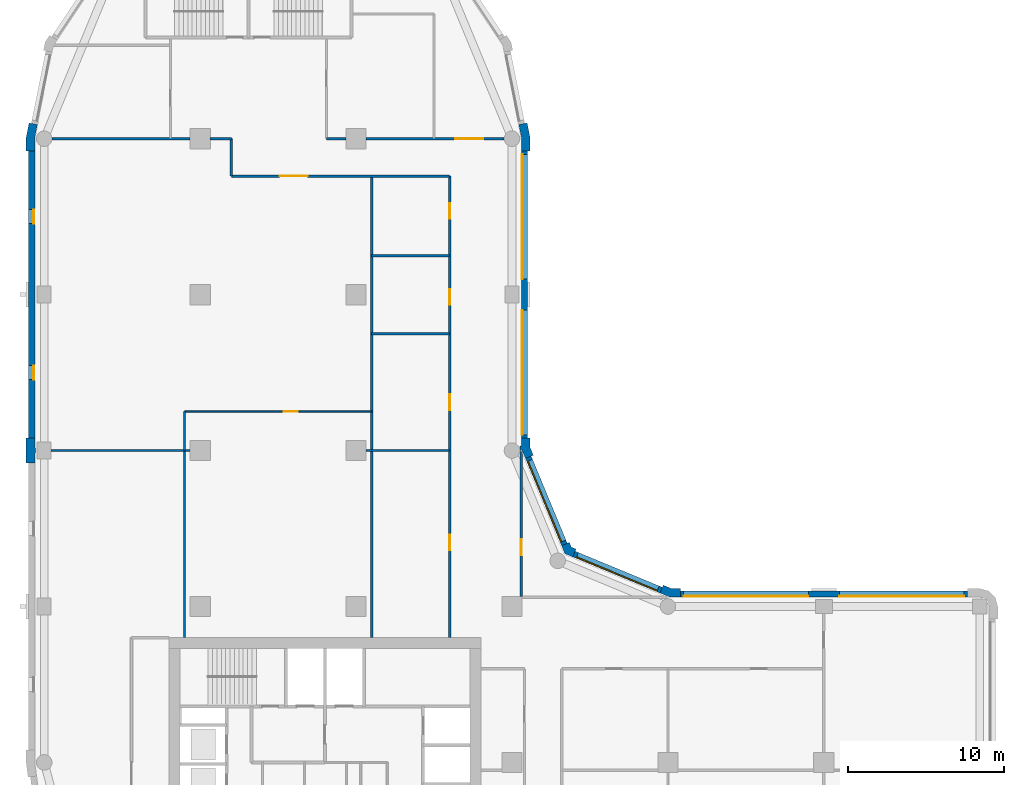
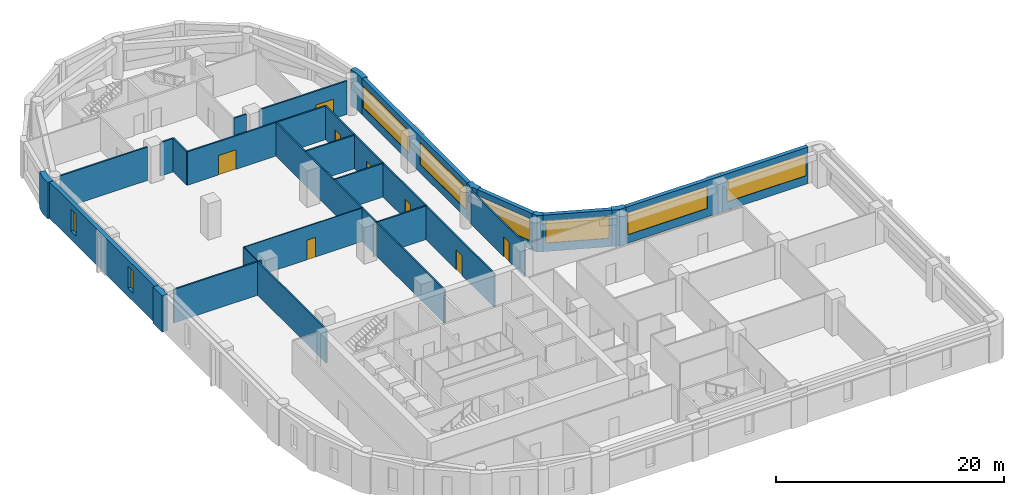
# One storey, part 5 of 9: 27 walls, 8 doors, 8 windows, 16 openings.
"""IFC4 building model written with IfcOpenShell, lengths in metres."""

from ifc_helpers import new_model, si_unit, direction, frame, frame_2d, origin, place, context, subcontext, project, spatial, polyline, rectangle, outline, extrude, material, layer, layer_set, type_object, element, fill, save


model = new_model("IFC4")

# Units and contexts
model_context = context("Model", 3, precision=1e-05, world=origin(), true_north=direction((0.0, 1.0)))
body_context = subcontext(model_context, "Body", "Model", "MODEL_VIEW")
ifc_project = project(units=[si_unit("LENGTHUNIT", "METRE"), si_unit("AREAUNIT", "SQUARE_METRE"), si_unit("VOLUMEUNIT", "CUBIC_METRE"), si_unit("PLANEANGLEUNIT", "RADIAN"), si_unit("MASSUNIT", "GRAM", prefix="KILO")], contexts=[model_context])

# Site, building, storey
site_placement = place(None, origin())
site = spatial("IfcSite", under=ifc_project, at=site_placement, CompositionType="ELEMENT")
building_placement = place(site_placement, origin())
building = spatial("IfcBuilding", under=site, at=building_placement, Name="Qaws Garden Tower", CompositionType="ELEMENT")
storey_placement = place(building_placement, frame((0.0, 0.0, 162.89990234375)))
storey = spatial("IfcBuildingStorey", under=building, at=storey_placement, Name="L39", CompositionType="ELEMENT", Elevation=162.89990234375)

# Wall, openings, windows
ifc_material_1 = material(Name="Clay facing brick masonry", Category="masonry")
ifc_layer_1 = layer(ifc_material_1, 0.39990234375)
ifc_layer_set_1 = layer_set([ifc_layer_1], Name="Clay facing brick masonry")
wall_type_1 = type_object("IfcWallType", Name="Brick infill wall 400", PredefinedType="SOLIDWALL", material=ifc_layer_set_1)
wall_1_placement = place(storey_placement, frame((59.199951171875, 30.800048828125, 0.0), z_axis=(0.0, 0.0, 1.0), x_axis=(-1.0, 0.0, 0.0)))
wall_1 = element("IfcWall", 1, at=wall_1_placement, inside=storey, type_object=wall_type_1, Name="E-L39-infill-07", PredefinedType="SOLIDWALL", context=body_context, shape_type="SweptSolid", body=[
    extrude(rectangle(XDim=18.39990234375, YDim=0.39990234375, at=frame_2d((9.199951171875, 0.0))), origin(), (0.0, 0.0, 1.0), 3.900146484375),
])
opening_1_placement = place(wall_1_placement, frame((0.199951171875, 0.0, 0.89990234375)))
opening_1 = element("IfcOpeningElement", 2, at=opening_1_placement, cuts=wall_1, Name="Opening W01", PredefinedType="OPENING", context=body_context, shape_type="SweptSolid", body=[
    extrude(rectangle(XDim=8.0, YDim=2.35009765625, at=frame_2d((4.0, 1.175048828125))), frame((0.0, 0.2099609375, 0.0), z_axis=(0.0, -1.0, 0.0), x_axis=(1.0, 0.0, 0.0)), (0.0, 0.0, 1.0), 0.419921875),
])
opening_2_placement = place(wall_1_placement, frame((10.199951171875, 0.0, 0.89990234375)))
opening_2 = element("IfcOpeningElement", 3, at=opening_2_placement, cuts=wall_1, Name="Opening W01", PredefinedType="OPENING", context=body_context, shape_type="SweptSolid", body=[
    extrude(rectangle(XDim=8.0, YDim=2.35009765625, at=frame_2d((4.0, 1.175048828125))), frame((0.0, 0.2099609375, 0.0), z_axis=(0.0, -1.0, 0.0), x_axis=(1.0, 0.0, 0.0)), (0.0, 0.0, 1.0), 0.419921875),
])
ifc_material_2 = material(Name="Aluminium framed window, clear glazing", Category="aluminium")
window_type_1 = type_object("IfcWindowType", Name="Ribbon window 8000 x 2350", PartitioningType="DOUBLE_PANEL_VERTICAL", PredefinedType="WINDOW", material=ifc_material_2)
window_1_placement = place(opening_1_placement, origin())
window_1 = element("IfcWindow", 4, at=window_1_placement, inside=storey, type_object=window_type_1, Name="E-L39-window-07-0", OverallHeight=2.35009765625, OverallWidth=8.0, PartitioningType="SINGLE_PANEL", PredefinedType="WINDOW", context=body_context, shape_type="SweptSolid", body=[
    extrude(rectangle(XDim=8.0, YDim=2.35009765625, at=frame_2d((4.0, 1.175048828125))), frame((0.0, 0.159912109375, 0.0), z_axis=(0.0, -1.0, 0.0), x_axis=(1.0, 0.0, 0.0)), (0.0, 0.0, 1.0), 0.06005859375),
])
fill(opening_1, window_1)
window_2_placement = place(opening_2_placement, origin())
window_2 = element("IfcWindow", 5, at=window_2_placement, inside=storey, type_object=window_type_1, Name="E-L39-window-08-0", OverallHeight=2.35009765625, OverallWidth=8.0, PartitioningType="SINGLE_PANEL", PredefinedType="WINDOW", context=body_context, shape_type="SweptSolid", body=[
    extrude(rectangle(XDim=8.0, YDim=2.35009765625, at=frame_2d((4.0, 1.175048828125))), frame((0.0, 0.159912109375, 0.0), z_axis=(0.0, -1.0, 0.0), x_axis=(1.0, 0.0, 0.0)), (0.0, 0.0, 1.0), 0.06005859375),
])
fill(opening_2, window_2)

# Wall, opening, window
wall_2_placement = place(storey_placement, frame((39.56689453125, 31.04541015625, 0.0), z_axis=(0.0, 0.0, 1.0), x_axis=(-0.923891000409, 0.382655745237, 0.0)))
wall_2 = element("IfcWall", 6, at=wall_2_placement, inside=storey, type_object=wall_type_1, Name="E-L39-infill-09", PredefinedType="SOLIDWALL", context=body_context, shape_type="SweptSolid", body=[
    extrude(rectangle(XDim=6.053466796875, YDim=0.39990234375, at=frame_2d((3.02685546875, 0.0))), origin(), (0.0, 0.0, 1.0), 3.900146484375),
])
opening_3_placement = place(wall_2_placement, frame((0.226806640625, 0.0, 0.89990234375)))
opening_3 = element("IfcOpeningElement", 7, at=opening_3_placement, cuts=wall_2, Name="Opening W04", PredefinedType="OPENING", context=body_context, shape_type="SweptSolid", body=[
    extrude(rectangle(XDim=5.60009765625, YDim=2.35009765625, at=frame_2d((2.800048828125, 1.175048828125))), frame((0.0, 0.2099609375, 0.0), z_axis=(0.0, -1.0, 0.0), x_axis=(1.0, 0.0, 0.0)), (0.0, 0.0, 1.0), 0.419921875),
])
ifc_material_3 = material(Name="Aluminium framed window, clear glazing", Category="aluminium")
window_type_2 = type_object("IfcWindowType", Name="Ribbon window 5600 x 2350", PartitioningType="DOUBLE_PANEL_VERTICAL", PredefinedType="WINDOW", material=ifc_material_3)
window_3_placement = place(opening_3_placement, origin())
window_3 = element("IfcWindow", 8, at=window_3_placement, inside=storey, type_object=window_type_2, Name="E-L39-window-09-0", OverallHeight=2.35009765625, OverallWidth=5.60009765625, PartitioningType="SINGLE_PANEL", PredefinedType="WINDOW", context=body_context, shape_type="SweptSolid", body=[
    extrude(rectangle(XDim=5.60009765625, YDim=2.35009765625, at=frame_2d((2.800048828125, 1.175048828125))), frame((0.0, 0.159912109375, 0.0), z_axis=(0.0, -1.0, 0.0), x_axis=(1.0, 0.0, 0.0)), (0.0, 0.0, 1.0), 0.06005859375),
])
fill(opening_3, window_3)

wall_3_placement = place(storey_placement, frame((33.36181640625, 33.97412109375, 0.0), z_axis=(0.0, 0.0, 1.0), x_axis=(-0.382655745237, 0.923891000409, 0.0)))
wall_3 = element("IfcWall", 9, at=wall_3_placement, inside=storey, type_object=wall_type_1, Name="E-L39-infill-10", PredefinedType="SOLIDWALL", context=body_context, shape_type="SweptSolid", body=[
    extrude(rectangle(XDim=6.053466796875, YDim=0.39990234375, at=frame_2d((3.02685546875, 0.0))), origin(), (0.0, 0.0, 1.0), 3.900146484375),
])
opening_4_placement = place(wall_3_placement, frame((0.226806640625, 0.0, 0.89990234375)))
opening_4 = element("IfcOpeningElement", 10, at=opening_4_placement, cuts=wall_3, Name="Opening W04", PredefinedType="OPENING", context=body_context, shape_type="SweptSolid", body=[
    extrude(rectangle(XDim=5.60009765625, YDim=2.35009765625, at=frame_2d((2.800048828125, 1.175048828125))), frame((0.0, 0.2099609375, 0.0), z_axis=(0.0, -1.0, 0.0), x_axis=(1.0, 0.0, 0.0)), (0.0, 0.0, 1.0), 0.419921875),
])
window_4_placement = place(opening_4_placement, origin())
window_4 = element("IfcWindow", 11, at=window_4_placement, inside=storey, type_object=window_type_2, Name="E-L39-window-10-0", OverallHeight=2.35009765625, OverallWidth=5.60009765625, PartitioningType="SINGLE_PANEL", PredefinedType="WINDOW", context=body_context, shape_type="SweptSolid", body=[
    extrude(rectangle(XDim=5.60009765625, YDim=2.35009765625, at=frame_2d((2.800048828125, 1.175048828125))), frame((0.0, 0.159912109375, 0.0), z_axis=(0.0, -1.0, 0.0), x_axis=(1.0, 0.0, 0.0)), (0.0, 0.0, 1.0), 0.06005859375),
])
fill(opening_4, window_4)

# Wall, openings, windows
wall_4_placement = place(storey_placement, frame((30.800048828125, 40.800048828125, 0.0), z_axis=(0.0, 0.0, 1.0), x_axis=(0.0, 1.0, 0.0)))
wall_4 = element("IfcWall", 12, at=wall_4_placement, inside=storey, type_object=wall_type_1, Name="E-L39-infill-11", PredefinedType="SOLIDWALL", context=body_context, shape_type="SweptSolid", body=[
    extrude(rectangle(XDim=18.39990234375, YDim=0.39990234375, at=frame_2d((9.199951171875, 0.0))), origin(), (0.0, 0.0, 1.0), 3.900146484375),
])
opening_5_placement = place(wall_4_placement, frame((0.199951171875, 0.0, 0.89990234375)))
opening_5 = element("IfcOpeningElement", 13, at=opening_5_placement, cuts=wall_4, Name="Opening W01", PredefinedType="OPENING", context=body_context, shape_type="SweptSolid", body=[
    extrude(rectangle(XDim=8.0, YDim=2.35009765625, at=frame_2d((4.0, 1.175048828125))), frame((0.0, 0.2099609375, 0.0), z_axis=(0.0, -1.0, 0.0), x_axis=(1.0, 0.0, 0.0)), (0.0, 0.0, 1.0), 0.419921875),
])
opening_6_placement = place(wall_4_placement, frame((10.199951171875, 0.0, 0.89990234375)))
opening_6 = element("IfcOpeningElement", 14, at=opening_6_placement, cuts=wall_4, Name="Opening W01", PredefinedType="OPENING", context=body_context, shape_type="SweptSolid", body=[
    extrude(rectangle(XDim=8.0, YDim=2.35009765625, at=frame_2d((4.0, 1.175048828125))), frame((0.0, 0.2099609375, 0.0), z_axis=(0.0, -1.0, 0.0), x_axis=(1.0, 0.0, 0.0)), (0.0, 0.0, 1.0), 0.419921875),
])
window_5_placement = place(opening_5_placement, origin())
window_5 = element("IfcWindow", 15, at=window_5_placement, inside=storey, type_object=window_type_1, Name="E-L39-window-11-0", OverallHeight=2.35009765625, OverallWidth=8.0, PartitioningType="SINGLE_PANEL", PredefinedType="WINDOW", context=body_context, shape_type="SweptSolid", body=[
    extrude(rectangle(XDim=8.0, YDim=2.35009765625, at=frame_2d((4.0, 1.175048828125))), frame((0.0, 0.159912109375, 0.0), z_axis=(0.0, -1.0, 0.0), x_axis=(1.0, 0.0, 0.0)), (0.0, 0.0, 1.0), 0.06005859375),
])
fill(opening_5, window_5)
window_6_placement = place(opening_6_placement, origin())
window_6 = element("IfcWindow", 16, at=window_6_placement, inside=storey, type_object=window_type_1, Name="E-L39-window-12-0", OverallHeight=2.35009765625, OverallWidth=8.0, PartitioningType="SINGLE_PANEL", PredefinedType="WINDOW", context=body_context, shape_type="SweptSolid", body=[
    extrude(rectangle(XDim=8.0, YDim=2.35009765625, at=frame_2d((4.0, 1.175048828125))), frame((0.0, 0.159912109375, 0.0), z_axis=(0.0, -1.0, 0.0), x_axis=(1.0, 0.0, 0.0)), (0.0, 0.0, 1.0), 0.06005859375),
])
fill(opening_6, window_6)

wall_5_placement = place(storey_placement, frame((-0.800048828125, 59.199951171875, 0.0), z_axis=(0.0, 0.0, 1.0), x_axis=(0.0, -1.0, 0.0)))
wall_5 = element("IfcWall", 17, at=wall_5_placement, inside=storey, type_object=wall_type_1, Name="E-L39-infill-21", PredefinedType="SOLIDWALL", context=body_context, shape_type="SweptSolid", body=[
    extrude(rectangle(XDim=18.39990234375, YDim=0.39990234375, at=frame_2d((9.199951171875, 0.0))), origin(), (0.0, 0.0, 1.0), 3.900146484375),
])
opening_7_placement = place(wall_5_placement, frame((3.75, 0.0, 0.89990234375)))
opening_7 = element("IfcOpeningElement", 18, at=opening_7_placement, cuts=wall_5, Name="Opening W09", PredefinedType="OPENING", context=body_context, shape_type="SweptSolid", body=[
    extrude(rectangle(XDim=0.89990234375, YDim=2.35009765625, at=frame_2d((0.449951171875, 1.175048828125))), frame((0.0, 0.2099609375, 0.0), z_axis=(0.0, -1.0, 0.0), x_axis=(1.0, 0.0, 0.0)), (0.0, 0.0, 1.0), 0.419921875),
])
opening_8_placement = place(wall_5_placement, frame((13.75, 0.0, 0.89990234375)))
opening_8 = element("IfcOpeningElement", 19, at=opening_8_placement, cuts=wall_5, Name="Opening W09", PredefinedType="OPENING", context=body_context, shape_type="SweptSolid", body=[
    extrude(rectangle(XDim=0.89990234375, YDim=2.35009765625, at=frame_2d((0.449951171875, 1.175048828125))), frame((0.0, 0.2099609375, 0.0), z_axis=(0.0, -1.0, 0.0), x_axis=(1.0, 0.0, 0.0)), (0.0, 0.0, 1.0), 0.419921875),
])
ifc_material_4 = material(Name="Aluminium framed window, clear glazing", Category="aluminium")
window_type_3 = type_object("IfcWindowType", Name="Slit window 900 x 2350", PartitioningType="SINGLE_PANEL", PredefinedType="WINDOW", material=ifc_material_4)
window_7_placement = place(opening_7_placement, origin())
window_7 = element("IfcWindow", 20, at=window_7_placement, inside=storey, type_object=window_type_3, Name="E-L39-window-21-0", OverallHeight=2.35009765625, OverallWidth=0.89990234375, PartitioningType="SINGLE_PANEL", PredefinedType="WINDOW", context=body_context, shape_type="SweptSolid", body=[
    extrude(rectangle(XDim=0.89990234375, YDim=2.35009765625, at=frame_2d((0.449951171875, 1.175048828125))), frame((0.0, 0.159912109375, 0.0), z_axis=(0.0, -1.0, 0.0), x_axis=(1.0, 0.0, 0.0)), (0.0, 0.0, 1.0), 0.06005859375),
])
fill(opening_7, window_7)
window_8_placement = place(opening_8_placement, origin())
window_8 = element("IfcWindow", 21, at=window_8_placement, inside=storey, type_object=window_type_3, Name="E-L39-window-22-0", OverallHeight=2.35009765625, OverallWidth=0.89990234375, PartitioningType="SINGLE_PANEL", PredefinedType="WINDOW", context=body_context, shape_type="SweptSolid", body=[
    extrude(rectangle(XDim=0.89990234375, YDim=2.35009765625, at=frame_2d((0.449951171875, 1.175048828125))), frame((0.0, 0.159912109375, 0.0), z_axis=(0.0, -1.0, 0.0), x_axis=(1.0, 0.0, 0.0)), (0.0, 0.0, 1.0), 0.06005859375),
])
fill(opening_8, window_8)

# Walls
ifc_material_5 = material(Name="Clay facing brick masonry", Category="masonry")
ifc_layer_2 = layer(ifc_material_5, 0.550048828125)
ifc_layer_set_2 = layer_set([ifc_layer_2], Name="Clay facing brick masonry")
wall_type_2 = type_object("IfcWallType", Name="Brick pier 550 x 1600", PredefinedType="SOLIDWALL", material=ifc_layer_set_2)
placement = place(storey_placement, origin())
element("IfcWall", 22, at=placement, inside=storey, type_object=wall_type_2, Name="E-L39-pier-09", PredefinedType="SOLIDWALL", context=body_context, shape_type="SweptSolid", body=[
    extrude(outline(polyline([(40.800048828125, 31.0), (40.800048828125, 31.14990234375), (40.228759765625, 31.14990234375), (39.700927734375, 31.36865234375), (39.6435546875, 31.22998046875), (39.490478515625, 30.860595703125), (40.119384765625, 30.60009765625), (40.800048828125, 30.60009765625), (40.800048828125, 31.0)])), origin(), (0.0, 0.0, 1.0), 3.900146484375),
])
element("IfcWall", 23, at=placement, inside=storey, type_object=wall_type_2, Name="E-L39-pier-10", PredefinedType="SOLIDWALL", context=body_context, shape_type="SweptSolid", body=[
    extrude(outline(polyline([(34.05078125, 33.546630859375), (34.108154296875, 33.685302734375), (33.80908203125, 33.80908203125), (33.685302734375, 34.108154296875), (33.546630859375, 34.05078125), (33.177001953125, 33.897705078125), (33.38818359375, 33.38818359375), (33.897705078125, 33.177001953125), (34.05078125, 33.546630859375)])), origin(), (0.0, 0.0, 1.0), 3.900146484375),
])
element("IfcWall", 24, at=placement, inside=storey, type_object=wall_type_2, Name="E-L39-pier-11", PredefinedType="SOLIDWALL", context=body_context, shape_type="SweptSolid", body=[
    extrude(outline(polyline([(30.6201171875, 39.995361328125), (30.6201171875, 40.071044921875), (30.860595703125, 39.490478515625), (31.22998046875, 39.6435546875), (31.36865234375, 39.700927734375), (31.14990234375, 40.228759765625), (31.14990234375, 40.800048828125), (31.0, 40.800048828125), (30.60009765625, 40.800048828125), (30.60009765625, 40.29541015625), (30.5, 40.29541015625), (30.5, 39.995361328125), (30.6201171875, 39.995361328125)])), origin(), (0.0, 0.0, 1.0), 3.900146484375),
])
element("IfcWall", 25, at=placement, inside=storey, type_object=wall_type_2, Name="E-L39-pier-13", PredefinedType="SOLIDWALL", context=body_context, shape_type="SweptSolid", body=[
    extrude(outline(polyline([(31.0, 59.199951171875), (31.14990234375, 59.199951171875), (31.14990234375, 60.11328125), (30.971923828125, 61.009033203125), (30.82470703125, 60.979736328125), (30.432373046875, 60.901611328125), (30.60009765625, 60.05908203125), (30.60009765625, 59.199951171875), (31.0, 59.199951171875)])), origin(), (0.0, 0.0, 1.0), 3.900146484375),
])
element("IfcWall", 26, at=placement, inside=storey, type_object=wall_type_2, Name="E-L39-pier-21", PredefinedType="SOLIDWALL", context=body_context, shape_type="SweptSolid", body=[
    extrude(outline(polyline([(-0.82470703125, 60.979736328125), (-0.971923828125, 61.009033203125), (-1.14990234375, 60.11328125), (-1.14990234375, 59.199951171875), (-1.0, 59.199951171875), (-0.60009765625, 59.199951171875), (-0.60009765625, 60.05908203125), (-0.432373046875, 60.901611328125), (-0.82470703125, 60.979736328125)])), origin(), (0.0, 0.0, 1.0), 3.900146484375),
])
element("IfcWall", 27, at=placement, inside=storey, type_object=wall_type_2, Name="E-L39-pier-23", PredefinedType="SOLIDWALL", context=body_context, shape_type="SweptSolid", body=[
    extrude(outline(polyline([(-0.60009765625, 39.199951171875), (-0.60009765625, 39.85009765625), (-0.550048828125, 39.85009765625), (-0.550048828125, 40.14990234375), (-0.60009765625, 40.14990234375), (-0.60009765625, 40.800048828125), (-1.0, 40.800048828125), (-1.14990234375, 40.800048828125), (-1.14990234375, 40.0), (-1.14990234375, 39.199951171875), (-1.0, 39.199951171875), (-0.60009765625, 39.199951171875)])), origin(), (0.0, 0.0, 1.0), 3.900146484375),
])
ifc_material_6 = material(Name="Gypsum board partition")
ifc_layer_3 = layer(ifc_material_6, 0.10009765625)
ifc_layer_set_3 = layer_set([ifc_layer_3], Name="Gypsum board partition")
wall_type_3 = type_object("IfcWallType", Name="PARTITION 100", PredefinedType="PARTITIONING", material=ifc_layer_set_3)
wall_12_placement = place(storey_placement, frame((9.0, 40.0, 0.0), z_axis=(0.0, 0.0, 1.0), x_axis=(0.0, 1.0, 0.0)))
element("IfcWall", 28, at=wall_12_placement, inside=storey, type_object=wall_type_3, Name="O-L39-wall-001", PredefinedType="PARTITIONING", context=body_context, shape_type="SweptSolid", body=[
    extrude(rectangle(XDim=2.5, YDim=0.10009765625, at=frame_2d((1.25, 0.0))), origin(), (0.0, 0.0, 1.0), 3.580078125),
])

# Wall, opening, door
wall_13_placement = place(storey_placement, frame((9.0, 42.5, 0.0), z_axis=(0.0, 0.0, 1.0), x_axis=(1.0, 0.0, 0.0)))
wall_13 = element("IfcWall", 29, at=wall_13_placement, inside=storey, type_object=wall_type_3, Name="O-L39-wall-005", PredefinedType="PARTITIONING", context=body_context, shape_type="SweptSolid", body=[
    extrude(rectangle(XDim=12.0, YDim=0.10009765625, at=frame_2d((6.0, 0.0))), origin(), (0.0, 0.0, 1.0), 3.580078125),
])
opening_9_placement = place(wall_13_placement, frame((6.35009765625, 0.0, 0.0)))
opening_9 = element("IfcOpeningElement", 30, at=opening_9_placement, cuts=wall_13, Name="Opening B324", PredefinedType="OPENING", context=body_context, shape_type="SweptSolid", body=[
    extrude(rectangle(XDim=0.89990234375, YDim=2.10009765625, at=frame_2d((0.449951171875, 1.050048828125))), frame((0.0, 0.06005859375, 0.0), z_axis=(0.0, -1.0, 0.0), x_axis=(1.0, 0.0, 0.0)), (0.0, 0.0, 1.0), 0.1201171875),
])
ifc_material_7 = material(Name="Timber door leaf", Category="wood")
door_type_1 = type_object("IfcDoorType", Name="OFFICE DOOR 900 X 2100", OperationType="SINGLE_SWING_LEFT", PredefinedType="DOOR", material=ifc_material_7)
door_1_placement = place(opening_9_placement, frame((0.89990234375, 0.0, 0.0), z_axis=(0.0, 0.0, 1.0), x_axis=(-1.0, 0.0, 0.0)))
door_1 = element("IfcDoor", 31, at=door_1_placement, inside=storey, type_object=door_type_1, Name="O-L39-door-024", OperationType="SINGLE_SWING_LEFT", OverallHeight=2.10009765625, OverallWidth=0.89990234375, PredefinedType="DOOR", context=body_context, shape_type="SweptSolid", body=[
    extrude(rectangle(XDim=0.89990234375, YDim=2.10009765625, at=frame_2d((0.449951171875, 1.050048828125))), frame((0.0, 0.02490234375, 0.0), z_axis=(0.0, -1.0, 0.0), x_axis=(1.0, 0.0, 0.0)), (0.0, 0.0, 1.0), 0.050048828125),
])
fill(opening_9, door_1)

# Walls
ifc_material_8 = material(Name="Gypsum board partition")
ifc_layer_4 = layer(ifc_material_8, 0.14990234375)
ifc_layer_set_4 = layer_set([ifc_layer_4], Name="Gypsum board partition")
wall_type_4 = type_object("IfcWallType", Name="PARTITION 150 EI 60", PredefinedType="PARTITIONING", material=ifc_layer_set_4)
wall_14_placement = place(storey_placement, frame((9.0, 28.0, 0.0), z_axis=(0.0, 0.0, 1.0), x_axis=(0.0, 1.0, 0.0)))
element("IfcWall", 32, at=wall_14_placement, inside=storey, type_object=wall_type_4, Name="O-L39-wall-008", PredefinedType="PARTITIONING", context=body_context, shape_type="SweptSolid", body=[
    extrude(rectangle(XDim=12.0, YDim=0.14990234375, at=frame_2d((6.0, 0.0))), origin(), (0.0, 0.0, 1.0), 3.580078125),
])
wall_15_placement = place(storey_placement, frame((12.0, 57.60009765625, 0.0), z_axis=(0.0, 0.0, 1.0), x_axis=(0.0, 1.0, 0.0)))
element("IfcWall", 33, at=wall_15_placement, inside=storey, type_object=wall_type_4, Name="O-L39-wall-009", PredefinedType="PARTITIONING", context=body_context, shape_type="SweptSolid", body=[
    extrude(rectangle(XDim=2.39990234375, YDim=0.14990234375, at=frame_2d((1.199951171875, 0.0))), origin(), (0.0, 0.0, 1.0), 3.580078125),
])
wall_16_placement = place(storey_placement, frame((21.0, 28.0, 0.0), z_axis=(0.0, 0.0, 1.0), x_axis=(0.0, 1.0, 0.0)))
element("IfcWall", 34, at=wall_16_placement, inside=storey, type_object=wall_type_4, Name="O-L39-wall-013", PredefinedType="PARTITIONING", context=body_context, shape_type="SweptSolid", body=[
    extrude(rectangle(XDim=29.60009765625, YDim=0.14990234375, at=frame_2d((14.800048828125, 0.0))), origin(), (0.0, 0.0, 1.0), 3.580078125),
])

# Wall, openings, doors
wall_17_placement = place(storey_placement, frame((26.0, 28.0, 0.0), z_axis=(0.0, 0.0, 1.0), x_axis=(0.0, 1.0, 0.0)))
wall_17 = element("IfcWall", 35, at=wall_17_placement, inside=storey, type_object=wall_type_4, Name="O-L39-wall-015", PredefinedType="PARTITIONING", context=body_context, shape_type="SweptSolid", body=[
    extrude(rectangle(XDim=29.60009765625, YDim=0.14990234375, at=frame_2d((14.800048828125, 0.0))), origin(), (0.0, 0.0, 1.0), 3.580078125),
])
opening_10_placement = place(wall_17_placement, frame((5.60009765625, 0.0, 0.0)))
opening_10 = element("IfcOpeningElement", 36, at=opening_10_placement, cuts=wall_17, Name="Opening B305", PredefinedType="OPENING", context=body_context, shape_type="SweptSolid", body=[
    extrude(rectangle(XDim=1.0, YDim=2.10009765625, at=frame_2d((0.5, 1.050048828125))), frame((0.0, 0.0849609375, 0.0), z_axis=(0.0, -1.0, 0.0), x_axis=(1.0, 0.0, 0.0)), (0.0, 0.0, 1.0), 0.169921875),
])
opening_11_placement = place(wall_17_placement, frame((14.60009765625, 0.0, 0.0)))
opening_11 = element("IfcOpeningElement", 37, at=opening_11_placement, cuts=wall_17, Name="Opening B306", PredefinedType="OPENING", context=body_context, shape_type="SweptSolid", body=[
    extrude(rectangle(XDim=1.0, YDim=2.10009765625, at=frame_2d((0.5, 1.050048828125))), frame((0.0, 0.0849609375, 0.0), z_axis=(0.0, -1.0, 0.0), x_axis=(1.0, 0.0, 0.0)), (0.0, 0.0, 1.0), 0.169921875),
])
opening_12_placement = place(wall_17_placement, frame((21.35009765625, 0.0, 0.0)))
opening_12 = element("IfcOpeningElement", 38, at=opening_12_placement, cuts=wall_17, Name="Opening B307", PredefinedType="OPENING", context=body_context, shape_type="SweptSolid", body=[
    extrude(rectangle(XDim=1.0, YDim=2.10009765625, at=frame_2d((0.5, 1.050048828125))), frame((0.0, 0.0849609375, 0.0), z_axis=(0.0, -1.0, 0.0), x_axis=(1.0, 0.0, 0.0)), (0.0, 0.0, 1.0), 0.169921875),
])
opening_13_placement = place(wall_17_placement, frame((26.85009765625, 0.0, 0.0)))
opening_13 = element("IfcOpeningElement", 39, at=opening_13_placement, cuts=wall_17, Name="Opening B308", PredefinedType="OPENING", context=body_context, shape_type="SweptSolid", body=[
    extrude(rectangle(XDim=1.0, YDim=2.10009765625, at=frame_2d((0.5, 1.050048828125))), frame((0.0, 0.0849609375, 0.0), z_axis=(0.0, -1.0, 0.0), x_axis=(1.0, 0.0, 0.0)), (0.0, 0.0, 1.0), 0.169921875),
])
ifc_material_9 = material(Name="Timber door leaf", Category="wood")
door_type_2 = type_object("IfcDoorType", Name="TENANCY ENTRANCE DOOR 1000 X 2100", OperationType="SINGLE_SWING_LEFT", PredefinedType="DOOR", material=ifc_material_9)
door_2_placement = place(opening_10_placement, origin())
door_2 = element("IfcDoor", 40, at=door_2_placement, inside=storey, type_object=door_type_2, Name="O-L39-door-005", OperationType="SINGLE_SWING_RIGHT", OverallHeight=2.10009765625, OverallWidth=1.0, PredefinedType="DOOR", context=body_context, shape_type="SweptSolid", body=[
    extrude(rectangle(XDim=1.0, YDim=2.10009765625, at=frame_2d((0.5, 1.050048828125))), frame((0.0, 0.02490234375, 0.0), z_axis=(0.0, -1.0, 0.0), x_axis=(1.0, 0.0, 0.0)), (0.0, 0.0, 1.0), 0.050048828125),
])
fill(opening_10, door_2)
door_3_placement = place(opening_11_placement, origin())
door_3 = element("IfcDoor", 41, at=door_3_placement, inside=storey, type_object=door_type_2, Name="O-L39-door-006", OperationType="SINGLE_SWING_LEFT", OverallHeight=2.10009765625, OverallWidth=1.0, PredefinedType="DOOR", context=body_context, shape_type="SweptSolid", body=[
    extrude(rectangle(XDim=1.0, YDim=2.10009765625, at=frame_2d((0.5, 1.050048828125))), frame((0.0, 0.02490234375, 0.0), z_axis=(0.0, -1.0, 0.0), x_axis=(1.0, 0.0, 0.0)), (0.0, 0.0, 1.0), 0.050048828125),
])
fill(opening_11, door_3)
door_4_placement = place(opening_12_placement, origin())
door_4 = element("IfcDoor", 42, at=door_4_placement, inside=storey, type_object=door_type_2, Name="O-L39-door-007", OperationType="SINGLE_SWING_LEFT", OverallHeight=2.10009765625, OverallWidth=1.0, PredefinedType="DOOR", context=body_context, shape_type="SweptSolid", body=[
    extrude(rectangle(XDim=1.0, YDim=2.10009765625, at=frame_2d((0.5, 1.050048828125))), frame((0.0, 0.02490234375, 0.0), z_axis=(0.0, -1.0, 0.0), x_axis=(1.0, 0.0, 0.0)), (0.0, 0.0, 1.0), 0.050048828125),
])
fill(opening_12, door_4)
door_5_placement = place(opening_13_placement, origin())
door_5 = element("IfcDoor", 43, at=door_5_placement, inside=storey, type_object=door_type_2, Name="O-L39-door-008", OperationType="SINGLE_SWING_LEFT", OverallHeight=2.10009765625, OverallWidth=1.0, PredefinedType="DOOR", context=body_context, shape_type="SweptSolid", body=[
    extrude(rectangle(XDim=1.0, YDim=2.10009765625, at=frame_2d((0.5, 1.050048828125))), frame((0.0, 0.02490234375, 0.0), z_axis=(0.0, -1.0, 0.0), x_axis=(1.0, 0.0, 0.0)), (0.0, 0.0, 1.0), 0.050048828125),
])
fill(opening_13, door_5)

# Wall, opening, door
wall_18_placement = place(storey_placement, frame((30.60009765625, 30.64990234375, 0.0), z_axis=(0.0, 0.0, 1.0), x_axis=(0.0, 1.0, 0.0)))
wall_18 = element("IfcWall", 44, at=wall_18_placement, inside=storey, type_object=wall_type_4, Name="O-L39-wall-018", PredefinedType="PARTITIONING", context=body_context, shape_type="SweptSolid", body=[
    extrude(rectangle(XDim=9.288330078125, YDim=0.14990234375, at=frame_2d((4.64404296875, 0.0))), origin(), (0.0, 0.0, 1.0), 3.580078125),
])
opening_14_placement = place(wall_18_placement, frame((2.64990234375, 0.0, 0.0)))
opening_14 = element("IfcOpeningElement", 45, at=opening_14_placement, cuts=wall_18, Name="Opening B315", PredefinedType="OPENING", context=body_context, shape_type="SweptSolid", body=[
    extrude(rectangle(XDim=1.0, YDim=2.10009765625, at=frame_2d((0.5, 1.050048828125))), frame((0.0, 0.0849609375, 0.0), z_axis=(0.0, -1.0, 0.0), x_axis=(1.0, 0.0, 0.0)), (0.0, 0.0, 1.0), 0.169921875),
])
door_6_placement = place(opening_14_placement, frame((1.0, 0.0, 0.0), z_axis=(0.0, 0.0, 1.0), x_axis=(-1.0, 0.0, 0.0)))
door_6 = element("IfcDoor", 46, at=door_6_placement, inside=storey, type_object=door_type_2, Name="O-L39-door-015", OperationType="SINGLE_SWING_LEFT", OverallHeight=2.10009765625, OverallWidth=1.0, PredefinedType="DOOR", context=body_context, shape_type="SweptSolid", body=[
    extrude(rectangle(XDim=1.0, YDim=2.10009765625, at=frame_2d((0.5, 1.050048828125))), frame((0.0, 0.02490234375, 0.0), z_axis=(0.0, -1.0, 0.0), x_axis=(1.0, 0.0, 0.0)), (0.0, 0.0, 1.0), 0.050048828125),
])
fill(opening_14, door_6)

# Walls
wall_19_placement = place(storey_placement, frame((0.449951171875, 40.0, 0.0), z_axis=(0.0, 0.0, 1.0), x_axis=(1.0, 0.0, 0.0)))
element("IfcWall", 47, at=wall_19_placement, inside=storey, type_object=wall_type_4, Name="O-L39-wall-046", PredefinedType="PARTITIONING", context=body_context, shape_type="SweptSolid", body=[
    extrude(rectangle(XDim=8.900146484375, YDim=0.14990234375, at=frame_2d((4.4501953125, 0.0))), origin(), (0.0, 0.0, 1.0), 3.580078125),
])
wall_20_placement = place(storey_placement, frame((20.64990234375, 40.0, 0.0), z_axis=(0.0, 0.0, 1.0), x_axis=(1.0, 0.0, 0.0)))
element("IfcWall", 48, at=wall_20_placement, inside=storey, type_object=wall_type_4, Name="O-L39-wall-047", PredefinedType="PARTITIONING", context=body_context, shape_type="SweptSolid", body=[
    extrude(rectangle(XDim=5.35009765625, YDim=0.14990234375, at=frame_2d((2.675048828125, 0.0))), origin(), (0.0, 0.0, 1.0), 3.580078125),
])
for number, where, z_axis, x_axis, name in (
    (49, (21.0, 47.5, 0.0), (0.0, 0.0, 1.0), (1.0, 0.0, 0.0), "O-L39-wall-048"),
    (50, (21.0, 52.5, 0.0), (0.0, 0.0, 1.0), (1.0, 0.0, 0.0), "O-L39-wall-049"),
):
    element("IfcWall", number, at=place(storey_placement, frame(where, z_axis=z_axis, x_axis=x_axis)), inside=storey, type_object=wall_type_4, Name=name, PredefinedType="PARTITIONING", context=body_context, shape_type="SweptSolid", body=[
        extrude(rectangle(XDim=5.0, YDim=0.14990234375, at=frame_2d((2.5, 0.0))), origin(), (0.0, 0.0, 1.0), 3.580078125),
    ])

# Wall, opening, door
wall_21_placement = place(storey_placement, frame((12.0, 57.60009765625, 0.0), z_axis=(0.0, 0.0, 1.0), x_axis=(1.0, 0.0, 0.0)))
wall_21 = element("IfcWall", 51, at=wall_21_placement, inside=storey, type_object=wall_type_4, Name="O-L39-wall-050", PredefinedType="PARTITIONING", context=body_context, shape_type="SweptSolid", body=[
    extrude(rectangle(XDim=14.0, YDim=0.14990234375, at=frame_2d((7.0, 0.0))), origin(), (0.0, 0.0, 1.0), 3.580078125),
])
opening_15_placement = place(wall_21_placement, frame((3.10009765625, 0.0, 0.0)))
opening_15 = element("IfcOpeningElement", 52, at=opening_15_placement, cuts=wall_21, Name="Opening B309", PredefinedType="OPENING", context=body_context, shape_type="SweptSolid", body=[
    extrude(rectangle(XDim=1.800048828125, YDim=2.10009765625, at=frame_2d((0.89990234375, 1.050048828125))), frame((0.0, 0.0849609375, 0.0), z_axis=(0.0, -1.0, 0.0), x_axis=(1.0, 0.0, 0.0)), (0.0, 0.0, 1.0), 0.169921875),
])
ifc_material_10 = material(Name="Timber door leaf", Category="wood")
door_type_3 = type_object("IfcDoorType", Name="DOUBLE DOOR 1800 X 2100", OperationType="DOUBLE_DOOR_SINGLE_SWING", PredefinedType="DOOR", material=ifc_material_10)
door_7_placement = place(opening_15_placement, frame((1.800048828125, 0.0, 0.0), z_axis=(0.0, 0.0, 1.0), x_axis=(-1.0, 0.0, 0.0)))
door_7 = element("IfcDoor", 53, at=door_7_placement, inside=storey, type_object=door_type_3, Name="O-L39-door-009", OperationType="DOUBLE_DOOR_SINGLE_SWING", OverallHeight=2.10009765625, OverallWidth=1.800048828125, PredefinedType="DOOR", context=body_context, shape_type="SweptSolid", body=[
    extrude(rectangle(XDim=1.800048828125, YDim=2.10009765625, at=frame_2d((0.89990234375, 1.050048828125))), frame((0.0, 0.02490234375, 0.0), z_axis=(0.0, -1.0, 0.0), x_axis=(1.0, 0.0, 0.0)), (0.0, 0.0, 1.0), 0.050048828125),
])
fill(opening_15, door_7)

# Walls
wall_22_placement = place(storey_placement, frame((0.5, 60.0, 0.0), z_axis=(0.0, 0.0, 1.0), x_axis=(1.0, 0.0, 0.0)))
element("IfcWall", 54, at=wall_22_placement, inside=storey, type_object=wall_type_4, Name="O-L39-wall-051", PredefinedType="PARTITIONING", context=body_context, shape_type="SweptSolid", body=[
    extrude(rectangle(XDim=8.85009765625, YDim=0.14990234375, at=frame_2d((4.425048828125, 0.0))), origin(), (0.0, 0.0, 1.0), 3.580078125),
])
wall_23_placement = place(storey_placement, frame((10.64990234375, 60.0, 0.0), z_axis=(0.0, 0.0, 1.0), x_axis=(1.0, 0.0, 0.0)))
element("IfcWall", 55, at=wall_23_placement, inside=storey, type_object=wall_type_4, Name="O-L39-wall-052", PredefinedType="PARTITIONING", context=body_context, shape_type="SweptSolid", body=[
    extrude(rectangle(XDim=1.35009765625, YDim=0.14990234375, at=frame_2d((0.675048828125, 0.0))), origin(), (0.0, 0.0, 1.0), 3.580078125),
])
wall_24_placement = place(storey_placement, frame((18.10009765625, 60.0, 0.0), z_axis=(0.0, 0.0, 1.0), x_axis=(1.0, 0.0, 0.0)))
element("IfcWall", 56, at=wall_24_placement, inside=storey, type_object=wall_type_4, Name="O-L39-wall-053", PredefinedType="PARTITIONING", context=body_context, shape_type="SweptSolid", body=[
    extrude(rectangle(XDim=1.25, YDim=0.14990234375, at=frame_2d((0.625, 0.0))), origin(), (0.0, 0.0, 1.0), 3.580078125),
])

# Wall, opening, door
wall_25_placement = place(storey_placement, frame((20.64990234375, 60.0, 0.0), z_axis=(0.0, 0.0, 1.0), x_axis=(1.0, 0.0, 0.0)))
wall_25 = element("IfcWall", 57, at=wall_25_placement, inside=storey, type_object=wall_type_4, Name="O-L39-wall-054", PredefinedType="PARTITIONING", context=body_context, shape_type="SweptSolid", body=[
    extrude(rectangle(XDim=8.85009765625, YDim=0.14990234375, at=frame_2d((4.425048828125, 0.0))), origin(), (0.0, 0.0, 1.0), 3.580078125),
])
opening_16_placement = place(wall_25_placement, frame((5.699951171875, 0.0, 0.0)))
opening_16 = element("IfcOpeningElement", 58, at=opening_16_placement, cuts=wall_25, Name="Opening B314", PredefinedType="OPENING", context=body_context, shape_type="SweptSolid", body=[
    extrude(rectangle(XDim=1.800048828125, YDim=2.10009765625, at=frame_2d((0.89990234375, 1.050048828125))), frame((0.0, 0.0849609375, 0.0), z_axis=(0.0, -1.0, 0.0), x_axis=(1.0, 0.0, 0.0)), (0.0, 0.0, 1.0), 0.169921875),
])
door_8_placement = place(opening_16_placement, origin())
door_8 = element("IfcDoor", 59, at=door_8_placement, inside=storey, type_object=door_type_3, Name="O-L39-door-014", OperationType="DOUBLE_DOOR_SINGLE_SWING", OverallHeight=2.10009765625, OverallWidth=1.800048828125, PredefinedType="DOOR", context=body_context, shape_type="SweptSolid", body=[
    extrude(rectangle(XDim=1.800048828125, YDim=2.10009765625, at=frame_2d((0.89990234375, 1.050048828125))), frame((0.0, 0.02490234375, 0.0), z_axis=(0.0, -1.0, 0.0), x_axis=(1.0, 0.0, 0.0)), (0.0, 0.0, 1.0), 0.050048828125),
])
fill(opening_16, door_8)

save(model, "model.ifc")
